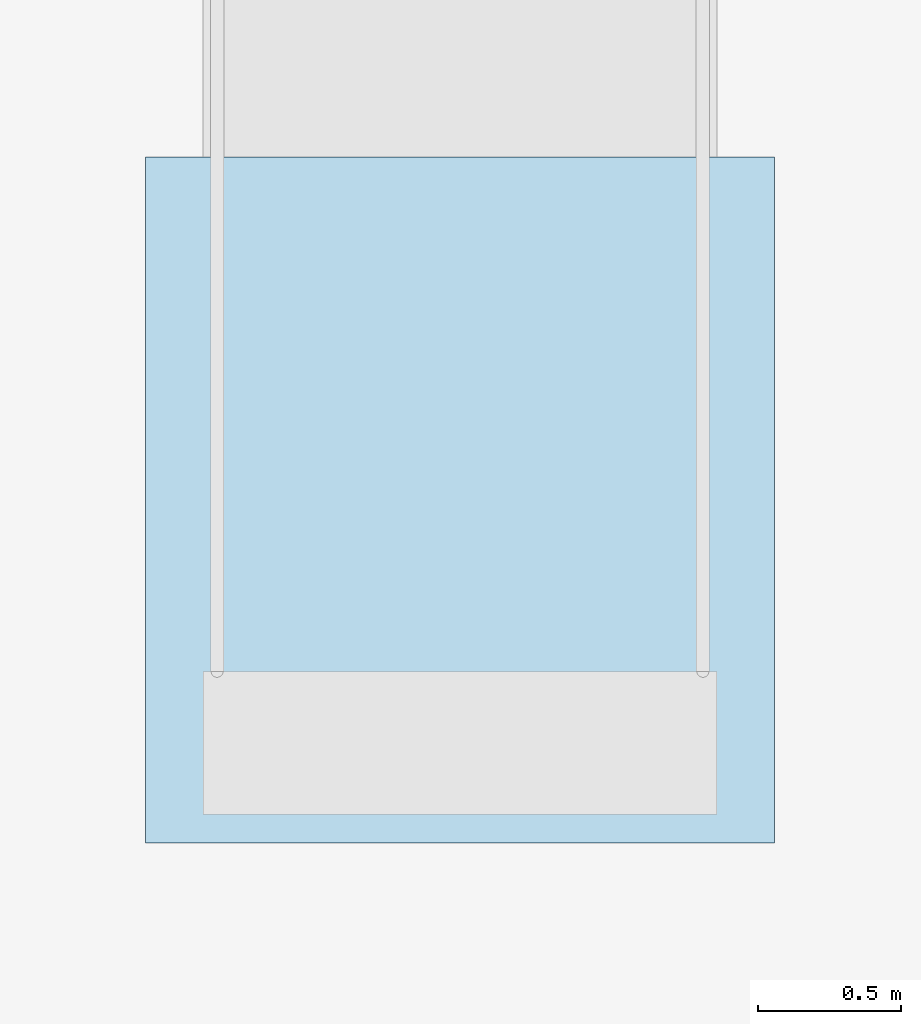
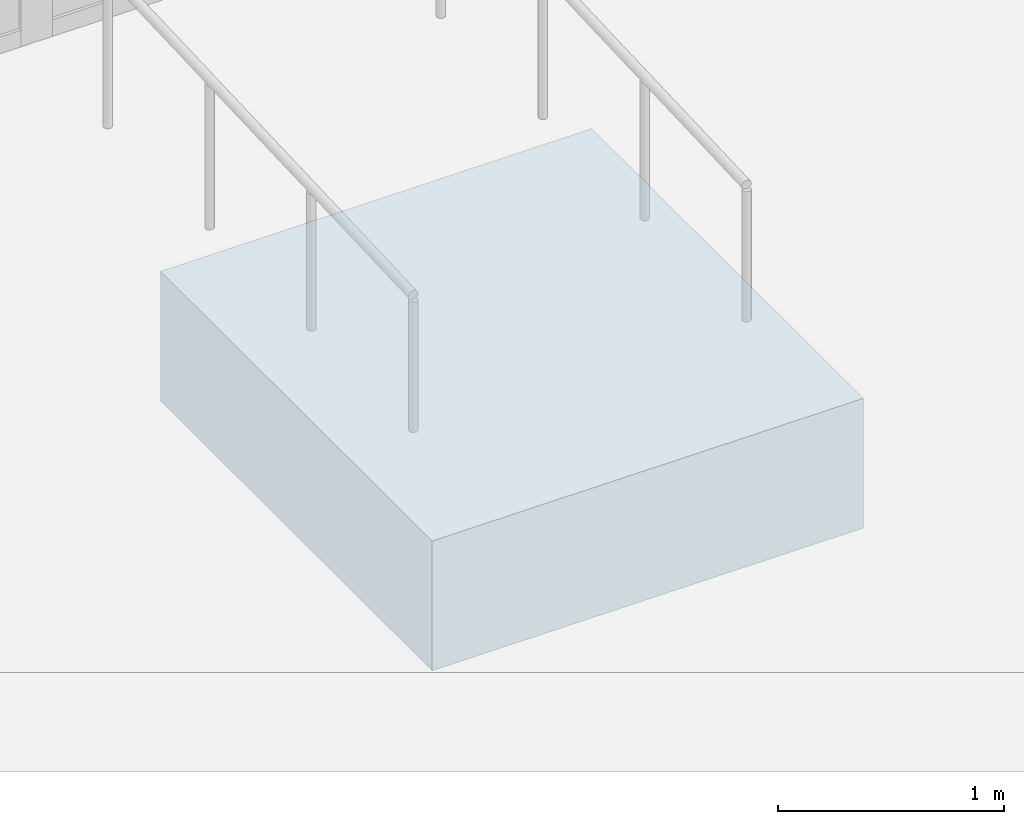
# One storey, part 1 of 199: 1 footing.
"""IFC4 building model written with IfcOpenShell, lengths in metres."""

from ifc_helpers import new_model, si_unit, direction, frame, origin, origin_2d, place, context, subcontext, project, spatial, rectangle, extrude, material, type_object, element, save


model = new_model("IFC4")

# Units and contexts
model_context = context("Model", 3, precision=1e-05, world=origin(), true_north=direction((0.0, 1.0)))
body_context = subcontext(model_context, "Body", "Model", "MODEL_VIEW")
ifc_project = project(units=[si_unit("LENGTHUNIT", "METRE"), si_unit("AREAUNIT", "SQUARE_METRE"), si_unit("VOLUMEUNIT", "CUBIC_METRE"), si_unit("PLANEANGLEUNIT", "RADIAN"), si_unit("MASSUNIT", "GRAM", prefix="KILO")], contexts=[model_context])

# Site, building, storey
site_placement = place(None, origin())
site = spatial("IfcSite", under=ifc_project, at=site_placement, CompositionType="ELEMENT")
building_placement = place(site_placement, origin())
building = spatial("IfcBuilding", under=site, at=building_placement, Name="Tarnwether General Hospital", CompositionType="ELEMENT")
storey_placement = place(building_placement, origin())
storey = spatial("IfcBuildingStorey", under=building, at=storey_placement, Name="L00", CompositionType="ELEMENT", Elevation=0.0)

# Footing
ifc_material = material(Name="Concrete 40 MPa", Category="concrete")
footing_type = type_object("IfcFootingType", Name="FT-PF6", PredefinedType="PAD_FOOTING", material=ifc_material)
footing_placement = place(storey_placement, frame((138.0, 7.949951171875, -0.85009765625), z_axis=(0.0, 0.0, 1.0), x_axis=(0.0, 1.0, 0.0)))
element("IfcFooting", 1, at=footing_placement, inside=storey, type_object=footing_type, Name="Ramp Toe Pad Footing RMP-05", PredefinedType="PAD_FOOTING", context=body_context, shape_type="SweptSolid", body=[
    extrude(rectangle(XDim=2.39990234375, YDim=2.199951171875, at=origin_2d()), origin(), (0.0, 0.0, 1.0), 0.699951171875),
])

save(model, "model.ifc")
